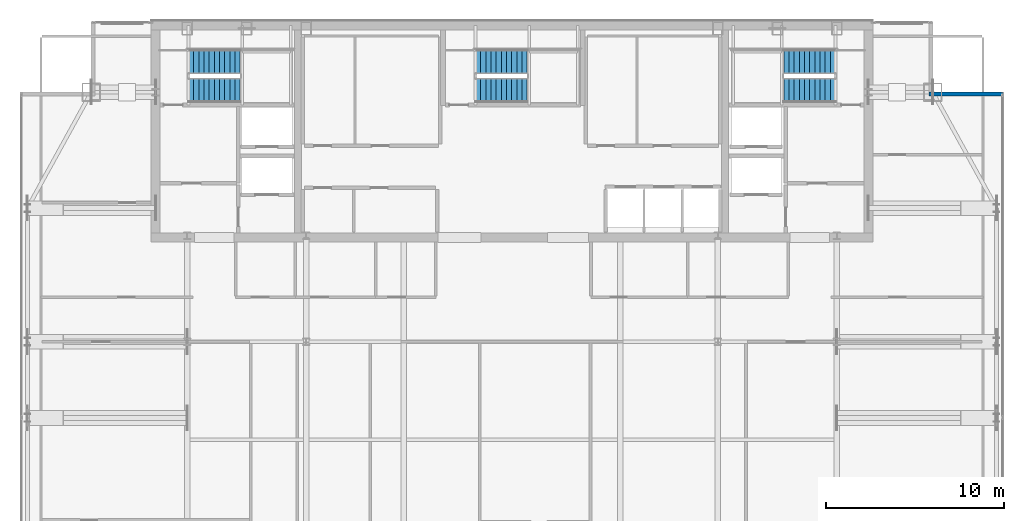
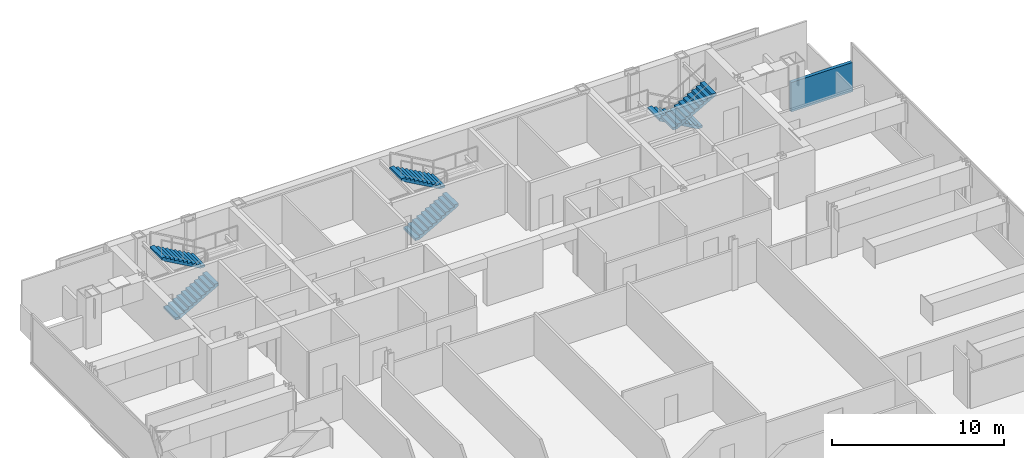
# One storey, part 24 of 26: 6 stair flights, 1 wall, 3 elements without a shape of their own.
"""IFC4 building model written with IfcOpenShell, lengths in metres."""

from ifc_helpers import new_model, si_unit, direction, frame, frame_2d, origin, place, context, subcontext, project, spatial, polyline, rectangle, outline, extrude, material, layer, layer_set, type_object, element, aggregate, save


model = new_model("IFC4")

# Units and contexts
model_context = context("Model", 3, precision=1e-05, world=origin(), true_north=direction((0.0, 1.0)))
body_context = subcontext(model_context, "Body", "Model", "MODEL_VIEW")
ifc_project = project(units=[si_unit("LENGTHUNIT", "METRE"), si_unit("AREAUNIT", "SQUARE_METRE"), si_unit("VOLUMEUNIT", "CUBIC_METRE"), si_unit("PLANEANGLEUNIT", "RADIAN"), si_unit("MASSUNIT", "GRAM", prefix="KILO")], contexts=[model_context])

# Site, building, storey
site_placement = place(None, origin())
site = spatial("IfcSite", under=ifc_project, at=site_placement, CompositionType="ELEMENT")
building_placement = place(site_placement, origin())
building = spatial("IfcBuilding", under=site, at=building_placement, Name="Khoronbel Lancet Exchange", CompositionType="ELEMENT")
storey_placement = place(building_placement, frame((0.0, 0.0, 287.800048828125)))
storey = spatial("IfcBuildingStorey", under=building, at=storey_placement, Name="L74", CompositionType="ELEMENT", Elevation=287.800048828125)

# Wall
ifc_material_1 = material(Name="Precast concrete C40/50", Category="concrete")
ifc_layer = layer(ifc_material_1, 0.25, Name="Precast concrete C40/50")
ifc_layer_set = layer_set([ifc_layer], Name="Precast concrete C40/50")
wall_type = type_object("IfcWallType", Name="WL-EXT250", PredefinedType="SOLIDWALL", material=ifc_layer_set)
wall_placement = place(storey_placement, frame((59.85009765625, 49.610107421875, 0.0), z_axis=(0.0, 0.0, 1.0), x_axis=(1.0, 0.0, 0.0)))
element("IfcWall", 1, at=wall_placement, inside=storey, type_object=wall_type, Name="Level L74 notched-corner limestone pier 08", PredefinedType="SOLIDWALL", context=body_context, shape_type="SweptSolid", body=[
    extrude(rectangle(XDim=4.1298828125, YDim=0.219970703125, at=frame_2d((2.06494140625, 0.0))), origin(), (0.0, 0.0, 1.0), 2.08984375),
])

# Stair, stair flights
ifc_material_2 = material(Name="Concrete C40/50", Category="concrete")
stair_type = type_object("IfcStairType", Name="STR-CORE150", PredefinedType="HALF_TURN_STAIR", material=ifc_material_2)
stair_1_placement = place(storey_placement, origin())
stair_1 = element("IfcStair", 2, at=stair_1_placement, inside=storey, type_object=stair_type, Name="L74 Protected Exit Stair ST1", PredefinedType="HALF_TURN_STAIR")
stair_flight_type = type_object("IfcStairFlightType", Name="STF-150", PredefinedType="STRAIGHT", material=ifc_material_2)
stair_flight_1_placement = place(storey_placement, frame((18.300048828125, 49.81005859375, 0.0), z_axis=(0.0, 0.0, 1.0), x_axis=(1.0, 0.0, 0.0)))
stair_flight_1 = element("IfcStairFlight", 3, at=stair_flight_1_placement, type_object=stair_flight_type, Name="ST1 flight 1", NumberOfRisers=11, NumberOfTreads=10, PredefinedType="STRAIGHT", RiserHeight=0.163636364, TreadLength=0.29, context=body_context, shape_type="SweptSolid", body=[
    extrude(outline(polyline([(0.0, 0.0), (0.0, 0.16357421875), (0.2900390625, 0.16357421875), (0.2900390625, 0.327392578125), (0.580078125, 0.327392578125), (0.580078125, 0.490966796875), (0.8701171875, 0.490966796875), (0.8701171875, 0.654541015625), (1.159912109375, 0.654541015625), (1.159912109375, 0.818115234375), (1.449951171875, 0.818115234375), (1.449951171875, 0.98193359375), (1.739990234375, 0.98193359375), (1.739990234375, 1.1455078125), (2.030029296875, 1.1455078125), (2.030029296875, 1.30908203125), (2.320068359375, 1.30908203125), (2.320068359375, 1.47265625), (2.610107421875, 1.47265625), (2.610107421875, 1.636474609375), (2.89990234375, 1.636474609375), (2.89990234375, 1.800048828125), (2.89990234375, 1.46435546875), (0.304931640625, 0.0), (0.0, 0.0)])), frame((0.0, 0.68994140625, 0.0), z_axis=(0.0, -1.0, 0.0), x_axis=(1.0, 0.0, 0.0)), (0.0, 0.0, 1.0), 1.3798828125),
])
stair_flight_2_placement = place(storey_placement, frame((21.199951171875, 51.409912109375, 1.800048828125), z_axis=(0.0, 0.0, 1.0), x_axis=(-1.0, 0.0, 0.0)))
stair_flight_2 = element("IfcStairFlight", 4, at=stair_flight_2_placement, type_object=stair_flight_type, Name="ST1 flight 2", NumberOfRisers=11, NumberOfTreads=10, PredefinedType="STRAIGHT", RiserHeight=0.163636364, TreadLength=0.29, context=body_context, shape_type="SweptSolid", body=[
    extrude(outline(polyline([(0.0, 0.0), (0.0, 0.16357421875), (0.2900390625, 0.16357421875), (0.2900390625, 0.327392578125), (0.580078125, 0.327392578125), (0.580078125, 0.490966796875), (0.8701171875, 0.490966796875), (0.8701171875, 0.654541015625), (1.159912109375, 0.654541015625), (1.159912109375, 0.818115234375), (1.449951171875, 0.818115234375), (1.449951171875, 0.98193359375), (1.739990234375, 0.98193359375), (1.739990234375, 1.1455078125), (2.030029296875, 1.1455078125), (2.030029296875, 1.30908203125), (2.320068359375, 1.30908203125), (2.320068359375, 1.47265625), (2.610107421875, 1.47265625), (2.610107421875, 1.636474609375), (2.89990234375, 1.636474609375), (2.89990234375, 1.800048828125), (2.89990234375, 1.46435546875), (0.304931640625, 0.0), (0.0, 0.0)])), frame((0.0, 0.68994140625, 0.0), z_axis=(0.0, -1.0, 0.0), x_axis=(1.0, 0.0, 0.0)), (0.0, 0.0, 1.0), 1.3798828125),
])
aggregate(stair_1, [stair_flight_1, stair_flight_2])

stair_2_placement = place(storey_placement, origin())
stair_2 = element("IfcStair", 5, at=stair_2_placement, inside=storey, type_object=stair_type, Name="L74 Protected Exit Stair ST2", PredefinedType="HALF_TURN_STAIR")
stair_flight_3_placement = place(storey_placement, frame((54.60009765625, 51.409912109375, 0.0), z_axis=(0.0, 0.0, 1.0), x_axis=(-1.0, 0.0, 0.0)))
stair_flight_3 = element("IfcStairFlight", 6, at=stair_flight_3_placement, type_object=stair_flight_type, Name="ST2 flight 1", NumberOfRisers=11, NumberOfTreads=10, PredefinedType="STRAIGHT", RiserHeight=0.163636364, TreadLength=0.29, context=body_context, shape_type="SweptSolid", body=[
    extrude(outline(polyline([(0.0, 0.0), (0.0, 0.16357421875), (0.2900390625, 0.16357421875), (0.2900390625, 0.327392578125), (0.580078125, 0.327392578125), (0.580078125, 0.490966796875), (0.8701171875, 0.490966796875), (0.8701171875, 0.654541015625), (1.159912109375, 0.654541015625), (1.159912109375, 0.818115234375), (1.449951171875, 0.818115234375), (1.449951171875, 0.98193359375), (1.739990234375, 0.98193359375), (1.739990234375, 1.1455078125), (2.030029296875, 1.1455078125), (2.030029296875, 1.30908203125), (2.320068359375, 1.30908203125), (2.320068359375, 1.47265625), (2.610107421875, 1.47265625), (2.610107421875, 1.636474609375), (2.89990234375, 1.636474609375), (2.89990234375, 1.800048828125), (2.89990234375, 1.46435546875), (0.304931640625, 0.0), (0.0, 0.0)])), frame((0.0, 0.68994140625, 0.0), z_axis=(0.0, -1.0, 0.0), x_axis=(1.0, 0.0, 0.0)), (0.0, 0.0, 1.0), 1.3798828125),
])
stair_flight_4_placement = place(storey_placement, frame((51.699951171875, 49.81005859375, 1.800048828125), z_axis=(0.0, 0.0, 1.0), x_axis=(1.0, 0.0, 0.0)))
stair_flight_4 = element("IfcStairFlight", 7, at=stair_flight_4_placement, type_object=stair_flight_type, Name="ST2 flight 2", NumberOfRisers=11, NumberOfTreads=10, PredefinedType="STRAIGHT", RiserHeight=0.163636364, TreadLength=0.29, context=body_context, shape_type="SweptSolid", body=[
    extrude(outline(polyline([(0.0, 0.0), (0.0, 0.16357421875), (0.2900390625, 0.16357421875), (0.2900390625, 0.327392578125), (0.580078125, 0.327392578125), (0.580078125, 0.490966796875), (0.8701171875, 0.490966796875), (0.8701171875, 0.654541015625), (1.159912109375, 0.654541015625), (1.159912109375, 0.818115234375), (1.449951171875, 0.818115234375), (1.449951171875, 0.98193359375), (1.739990234375, 0.98193359375), (1.739990234375, 1.1455078125), (2.030029296875, 1.1455078125), (2.030029296875, 1.30908203125), (2.320068359375, 1.30908203125), (2.320068359375, 1.47265625), (2.610107421875, 1.47265625), (2.610107421875, 1.636474609375), (2.89990234375, 1.636474609375), (2.89990234375, 1.800048828125), (2.89990234375, 1.46435546875), (0.304931640625, 0.0), (0.0, 0.0)])), frame((0.0, 0.68994140625, 0.0), z_axis=(0.0, -1.0, 0.0), x_axis=(1.0, 0.0, 0.0)), (0.0, 0.0, 1.0), 1.3798828125),
])
aggregate(stair_2, [stair_flight_3, stair_flight_4])

stair_3_placement = place(storey_placement, origin())
stair_3 = element("IfcStair", 8, at=stair_3_placement, inside=storey, type_object=stair_type, Name="L74 Protected Exit Stair ST3", PredefinedType="HALF_TURN_STAIR")
stair_flight_5_placement = place(storey_placement, frame((34.39990234375, 49.81005859375, 0.0), z_axis=(0.0, 0.0, 1.0), x_axis=(1.0, 0.0, 0.0)))
stair_flight_5 = element("IfcStairFlight", 9, at=stair_flight_5_placement, type_object=stair_flight_type, Name="ST3 flight 1", NumberOfRisers=11, NumberOfTreads=10, PredefinedType="STRAIGHT", RiserHeight=0.163636364, TreadLength=0.29, context=body_context, shape_type="SweptSolid", body=[
    extrude(outline(polyline([(0.0, 0.0), (0.0, 0.16357421875), (0.2900390625, 0.16357421875), (0.2900390625, 0.327392578125), (0.580078125, 0.327392578125), (0.580078125, 0.490966796875), (0.8701171875, 0.490966796875), (0.8701171875, 0.654541015625), (1.159912109375, 0.654541015625), (1.159912109375, 0.818115234375), (1.449951171875, 0.818115234375), (1.449951171875, 0.98193359375), (1.739990234375, 0.98193359375), (1.739990234375, 1.1455078125), (2.030029296875, 1.1455078125), (2.030029296875, 1.30908203125), (2.320068359375, 1.30908203125), (2.320068359375, 1.47265625), (2.610107421875, 1.47265625), (2.610107421875, 1.636474609375), (2.89990234375, 1.636474609375), (2.89990234375, 1.800048828125), (2.89990234375, 1.46435546875), (0.304931640625, 0.0), (0.0, 0.0)])), frame((0.0, 0.68994140625, 0.0), z_axis=(0.0, -1.0, 0.0), x_axis=(1.0, 0.0, 0.0)), (0.0, 0.0, 1.0), 1.3798828125),
])
stair_flight_6_placement = place(storey_placement, frame((37.300048828125, 51.409912109375, 1.800048828125), z_axis=(0.0, 0.0, 1.0), x_axis=(-1.0, 0.0, 0.0)))
stair_flight_6 = element("IfcStairFlight", 10, at=stair_flight_6_placement, type_object=stair_flight_type, Name="ST3 flight 2", NumberOfRisers=11, NumberOfTreads=10, PredefinedType="STRAIGHT", RiserHeight=0.163636364, TreadLength=0.29, context=body_context, shape_type="SweptSolid", body=[
    extrude(outline(polyline([(0.0, 0.0), (0.0, 0.16357421875), (0.2900390625, 0.16357421875), (0.2900390625, 0.327392578125), (0.580078125, 0.327392578125), (0.580078125, 0.490966796875), (0.8701171875, 0.490966796875), (0.8701171875, 0.654541015625), (1.159912109375, 0.654541015625), (1.159912109375, 0.818115234375), (1.449951171875, 0.818115234375), (1.449951171875, 0.98193359375), (1.739990234375, 0.98193359375), (1.739990234375, 1.1455078125), (2.030029296875, 1.1455078125), (2.030029296875, 1.30908203125), (2.320068359375, 1.30908203125), (2.320068359375, 1.47265625), (2.610107421875, 1.47265625), (2.610107421875, 1.636474609375), (2.89990234375, 1.636474609375), (2.89990234375, 1.800048828125), (2.89990234375, 1.46435546875), (0.304931640625, 0.0), (0.0, 0.0)])), frame((0.0, 0.68994140625, 0.0), z_axis=(0.0, -1.0, 0.0), x_axis=(1.0, 0.0, 0.0)), (0.0, 0.0, 1.0), 1.3798828125),
])
aggregate(stair_3, [stair_flight_5, stair_flight_6])

save(model, "model.ifc")
